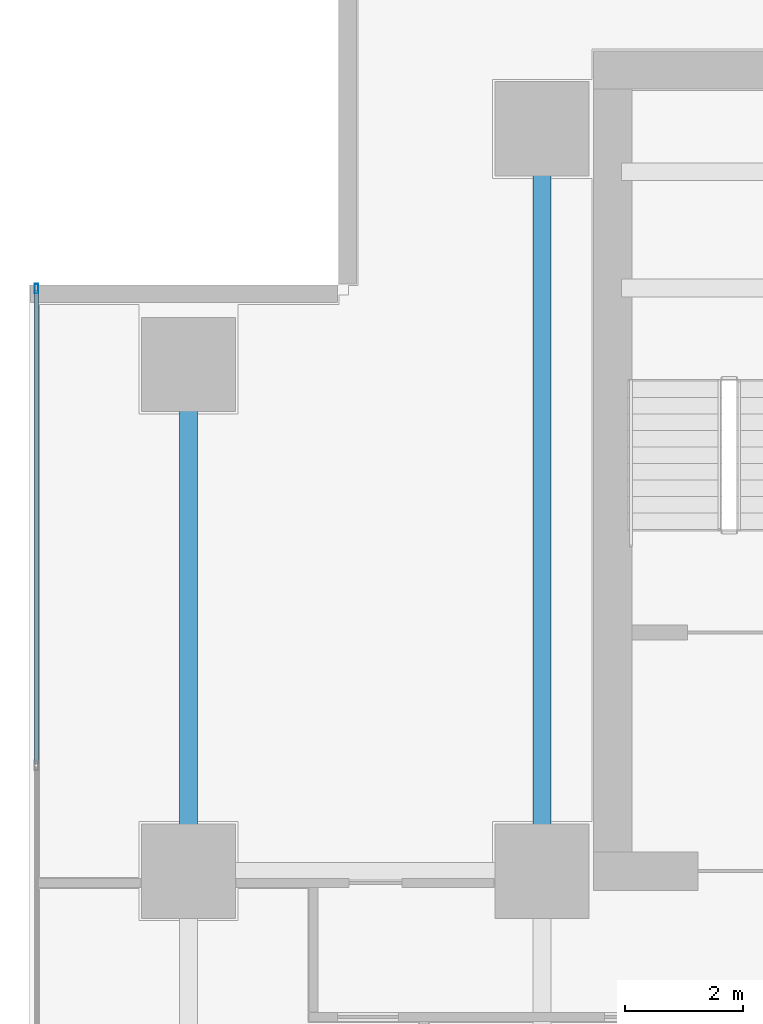
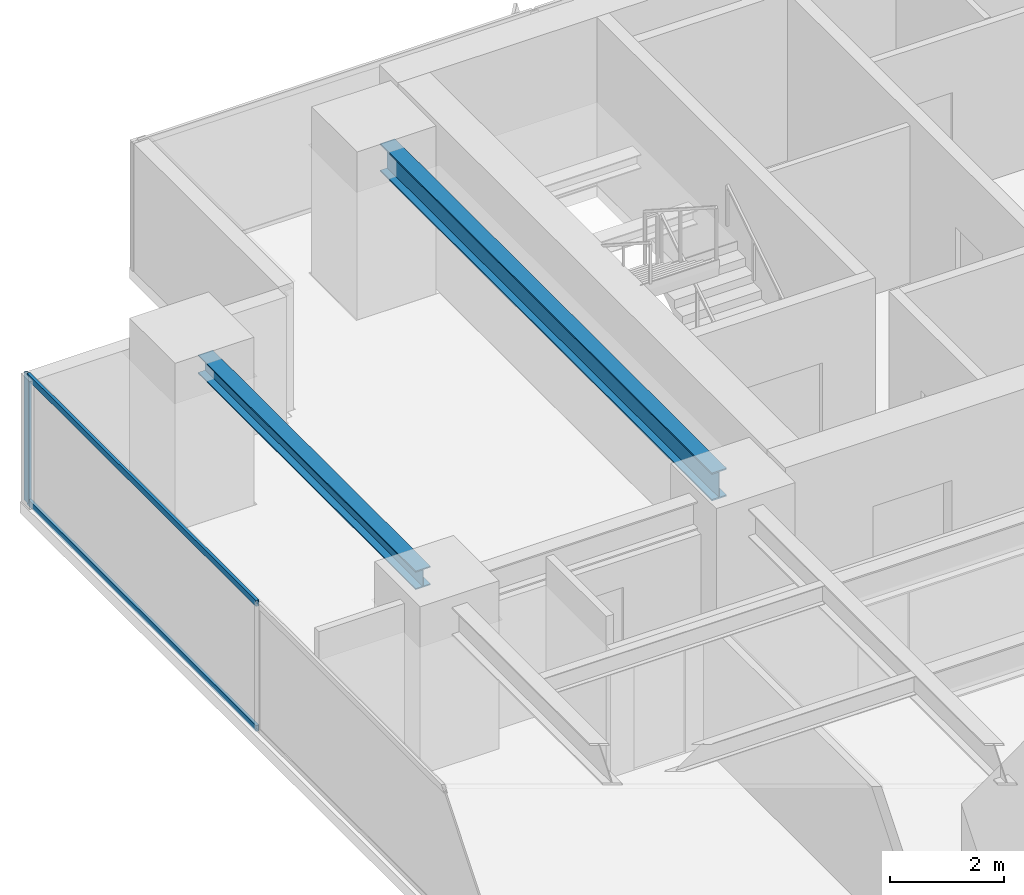
# One storey, part 18 of 37: 3 members, 2 beams, 1 element without a shape of its own.
"""IFC4 building model written with IfcOpenShell, lengths in metres."""

from ifc_helpers import new_model, si_unit, direction, frame, origin, origin_2d, place, context, subcontext, project, spatial, hollow_rectangle, i_section, extrude, source, transform, mapped, material, layer, layer_set, material_profile, profile_set, type_object, element, aggregate, save


model = new_model("IFC4")

# Units and contexts
model_context = context("Model", 3, precision=1e-05, world=origin(), true_north=direction((0.0, 1.0)))
body_context = subcontext(model_context, "Body", "Model", "MODEL_VIEW")
ifc_project = project(units=[si_unit("LENGTHUNIT", "METRE"), si_unit("AREAUNIT", "SQUARE_METRE"), si_unit("VOLUMEUNIT", "CUBIC_METRE"), si_unit("PLANEANGLEUNIT", "RADIAN"), si_unit("MASSUNIT", "GRAM", prefix="KILO")], contexts=[model_context])

# Site, building, storey
site_placement = place(None, origin())
site = spatial("IfcSite", under=ifc_project, at=site_placement, CompositionType="ELEMENT")
building_placement = place(site_placement, origin())
building = spatial("IfcBuilding", under=site, at=building_placement, Name="Sumidabori Civic Tower", CompositionType="ELEMENT")
storey_placement = place(building_placement, frame((0.0, 0.0, 95.60009765625)))
storey = spatial("IfcBuildingStorey", under=building, at=storey_placement, Name="L24", CompositionType="ELEMENT", Elevation=95.60009765625)

# Beams
ifc_material_1 = material(Name="Steel SN490", Category="steel")
ifc_material_profile_1 = material_profile(ifc_material_1, i_section(OverallWidth=0.300048828125, OverallDepth=0.39990234375, WebThickness=0.013427734375, FlangeThickness=0.02392578125, at=origin_2d()), Name="HE 400 B")
ifc_profile_set_1 = profile_set([ifc_material_profile_1], Name="Steel SN490")
beam_type_1 = type_object("IfcBeamType", Name="BM-GIRD-400", PredefinedType="BEAM", material=ifc_profile_set_1)
shared_shape_1 = source(origin(), body_context, "Body", "SweptSolid", [
    extrude(i_section(OverallWidth=0.300048828125, OverallDepth=0.39990234375, WebThickness=0.013427734375, FlangeThickness=0.02392578125, at=origin_2d()), origin(), (0.0, 0.0, 1.0), 7.64013671875),
])
beam_1_placement = place(storey_placement, frame((-22.800048828125, 10.679931640625, 3.159912109375), z_axis=(0.0, 1.0, 0.0), x_axis=(-1.0, 0.0, 0.0)))
element("IfcBeam", 1, at=beam_1_placement, inside=storey, type_object=beam_type_1, Name="Primary Girder L24 GY-24", PredefinedType="BEAM", context=body_context, shape_type="MappedRepresentation", body=[
    mapped(shared_shape_1, transform((0.0, 0.0, 0.0), x_axis=(1.0, 0.0, 0.0), y_axis=(0.0, 1.0, 0.0), z_axis=(0.0, 0.0, 1.0), scale=1.0)),
])
ifc_material_profile_2 = material_profile(ifc_material_1, i_section(OverallWidth=0.300048828125, OverallDepth=0.60009765625, WebThickness=0.015380859375, FlangeThickness=0.030029296875, at=origin_2d()), Name="HE 600 B")
ifc_profile_set_2 = profile_set([ifc_material_profile_2], Name="Steel SN490")
beam_type_2 = type_object("IfcBeamType", Name="BM-GIRD-600", PredefinedType="BEAM", material=ifc_profile_set_2)
shared_shape_2 = source(origin(), body_context, "Body", "SweptSolid", [
    extrude(i_section(OverallWidth=0.300048828125, OverallDepth=0.60009765625, WebThickness=0.015380859375, FlangeThickness=0.030029296875, at=origin_2d()), origin(), (0.0, 0.0, 1.0), 11.64013671875),
])
beam_2_placement = place(storey_placement, frame((-16.800048828125, 10.679931640625, 3.059814453125), z_axis=(0.0, 1.0, 0.0), x_axis=(-1.0, 0.0, 0.0)))
element("IfcBeam", 2, at=beam_2_placement, inside=storey, type_object=beam_type_2, Name="Primary Girder L24 GY-28", PredefinedType="BEAM", context=body_context, shape_type="MappedRepresentation", body=[
    mapped(shared_shape_2, transform((0.0, 0.0, 0.0), x_axis=(1.0, 0.0, 0.0), y_axis=(0.0, 1.0, 0.0), z_axis=(0.0, 0.0, 1.0), scale=1.0)),
])

# Curtain wall, members
ifc_material_2 = material(Name="Anodised Bronze Aluminium AW-6063-T6", Category="aluminium")
ifc_layer = layer(ifc_material_2, 0.179931640625, Name="Anodised Bronze Aluminium AW-6063-T6")
ifc_layer_set = layer_set([ifc_layer], Name="Anodised Bronze Aluminium AW-6063-T6")
curtain_wall_type = type_object("IfcCurtainWallType", Name="CW-SYS-3", PredefinedType="NOTDEFINED", material=ifc_layer_set)
curtain_wall_placement = place(storey_placement, origin())
curtain_wall = element("IfcCurtainWall", 3, at=curtain_wall_placement, inside=storey, type_object=curtain_wall_type, Name="Curtain Wall CW:L24:R10", PredefinedType="NOTDEFINED")
ifc_material_profile_3 = material_profile(ifc_material_2, hollow_rectangle(XDim=0.06494140625, YDim=0.159912109375, WallThickness=0.0048828125, at=origin_2d()), Name="ALU MULLION 160x65")
ifc_profile_set_3 = profile_set([ifc_material_profile_3], Name="Anodised Bronze Aluminium AW-6063-T6")
member_type_1 = type_object("IfcMemberType", Name="CW-MUL-160", PredefinedType="MULLION", material=ifc_profile_set_3)
shared_shape_3 = source(origin(), body_context, "Body", "SweptSolid", [
    extrude(hollow_rectangle(XDim=0.06494140625, YDim=0.159912109375, WallThickness=0.0048828125, at=origin_2d()), origin(), (0.0, 0.0, 1.0), 2.739990234375),
])
member_1_placement = place(storey_placement, frame((-25.3798828125, 20.08740234375, 0.0), z_axis=(0.0, 0.0, 1.0), x_axis=(1.0, 0.0, 0.0)))
member_1 = element("IfcMember", 4, at=member_1_placement, type_object=member_type_1, Name="CW-3 mullion 1", PredefinedType="MULLION", context=body_context, shape_type="MappedRepresentation", body=[
    mapped(shared_shape_3, transform((0.0, 0.0, 0.0), x_axis=(1.0, 0.0, 0.0), y_axis=(0.0, 1.0, 0.0), z_axis=(0.0, 0.0, 1.0), scale=1.0)),
])
ifc_material_profile_4 = material_profile(ifc_material_2, hollow_rectangle(XDim=0.06005859375, YDim=0.1298828125, WallThickness=0.0048828125, at=origin_2d()), Name="ALU TRANSOM 130x60")
ifc_profile_set_4 = profile_set([ifc_material_profile_4], Name="Anodised Bronze Aluminium AW-6063-T6")
member_type_2 = type_object("IfcMemberType", Name="CW-TRN-130", PredefinedType="USERDEFINED", material=ifc_profile_set_4)
shared_shape_4 = source(origin(), body_context, "Body", "SweptSolid", [
    extrude(hollow_rectangle(XDim=0.06005859375, YDim=0.1298828125, WallThickness=0.0048828125, at=origin_2d()), origin(), (0.0, 0.0, 1.0), 8.030517578125),
])
member_2_placement = place(storey_placement, frame((-25.3798828125, 20.054931640625, 0.02978515625), z_axis=(0.0, -1.0, 0.0), x_axis=(1.0, 0.0, 0.0)))
member_2 = element("IfcMember", 5, at=member_2_placement, type_object=member_type_2, Name="CW-3 transom 1.1", ObjectType="TRANSOM", PredefinedType="USERDEFINED", context=body_context, shape_type="MappedRepresentation", body=[
    mapped(shared_shape_4, transform((0.0, 0.0, 0.0), x_axis=(1.0, 0.0, 0.0), y_axis=(0.0, 1.0, 0.0), z_axis=(0.0, 0.0, 1.0), scale=1.0)),
])
member_3_placement = place(storey_placement, frame((-25.3798828125, 20.054931640625, 2.7099609375), z_axis=(0.0, -1.0, 0.0), x_axis=(1.0, 0.0, 0.0)))
member_3 = element("IfcMember", 6, at=member_3_placement, type_object=member_type_2, Name="CW-3 transom 1.2", ObjectType="TRANSOM", PredefinedType="USERDEFINED", context=body_context, shape_type="MappedRepresentation", body=[
    mapped(shared_shape_4, transform((0.0, 0.0, 0.0), x_axis=(1.0, 0.0, 0.0), y_axis=(0.0, 1.0, 0.0), z_axis=(0.0, 0.0, 1.0), scale=1.0)),
])
aggregate(curtain_wall, [member_1, member_2, member_3])

save(model, "model.ifc")
